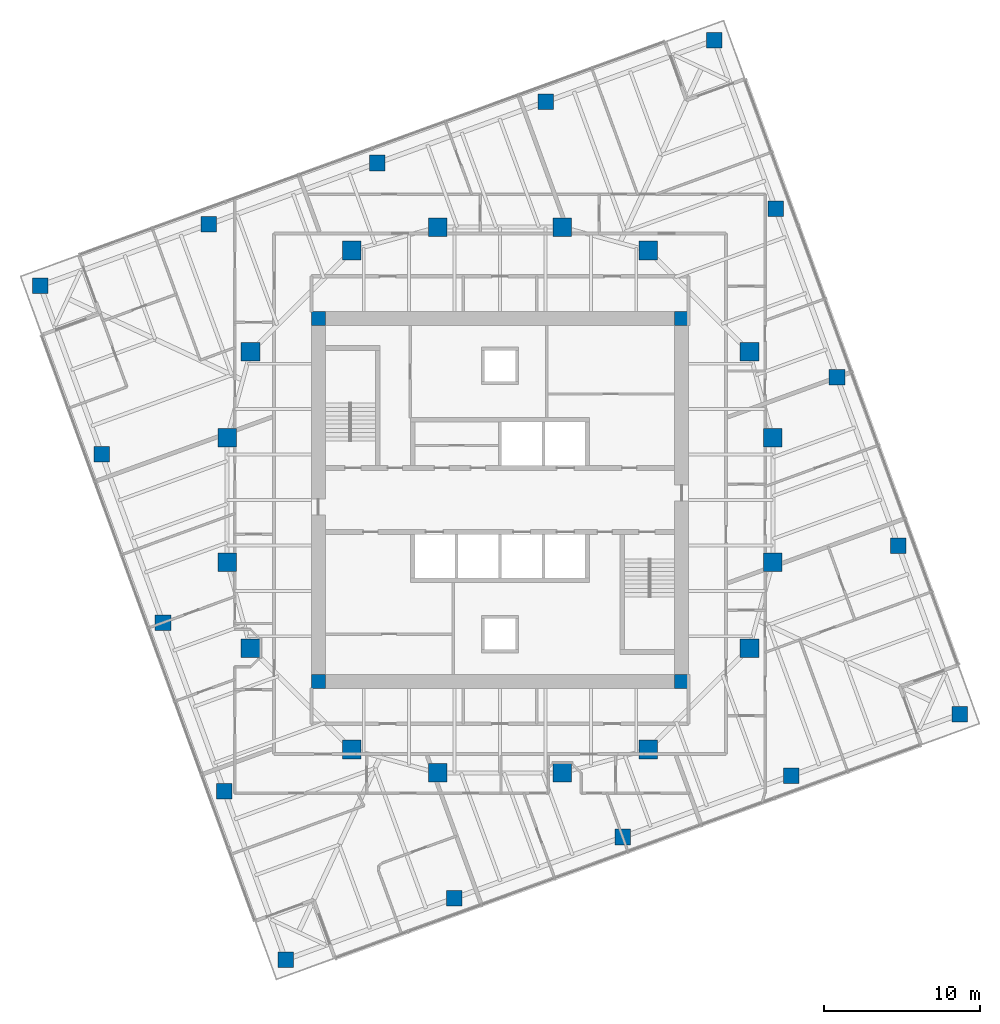
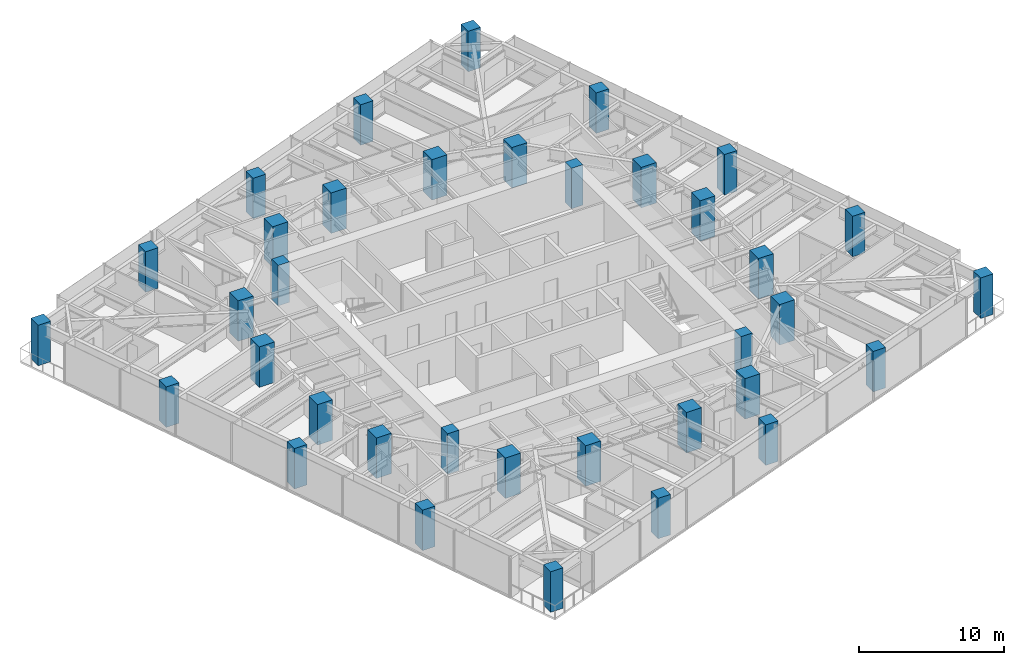
# One storey, part 1 of 13: 36 columns.
"""IFC4 building model written with IfcOpenShell, lengths in metres."""

from ifc_helpers import new_model, si_unit, direction, frame, origin, origin_2d, place, context, subcontext, project, spatial, rectangle, extrude, material, material_profile, profile_set, type_object, element, save


model = new_model("IFC4")

# Units and contexts
model_context = context("Model", 3, precision=1e-05, world=origin(), true_north=direction((0.0, 1.0)))
body_context = subcontext(model_context, "Body", "Model", "MODEL_VIEW")
ifc_project = project(units=[si_unit("LENGTHUNIT", "METRE"), si_unit("AREAUNIT", "SQUARE_METRE"), si_unit("VOLUMEUNIT", "CUBIC_METRE"), si_unit("PLANEANGLEUNIT", "RADIAN"), si_unit("MASSUNIT", "GRAM", prefix="KILO")], contexts=[model_context])

# Site, building, storey
site_placement = place(None, origin())
site = spatial("IfcSite", under=ifc_project, at=site_placement, CompositionType="ELEMENT")
building_placement = place(site_placement, origin())
building = spatial("IfcBuilding", under=site, at=building_placement, Name="Torsade Residences", CompositionType="ELEMENT")
storey_placement = place(building_placement, frame((0.0, 0.0, 160.800048828125)))
storey = spatial("IfcBuildingStorey", under=building, at=storey_placement, Name="L44", CompositionType="ELEMENT", Elevation=160.800048828125)

# Columns
ifc_material_1 = material(Name="Concrete 80 MPa", Category="concrete")
ifc_material_profile_1 = material_profile(ifc_material_1, rectangle(XDim=0.89990234375, YDim=0.89990234375, at=origin_2d()), Name="RC 900x900")
ifc_profile_set_1 = profile_set([ifc_material_profile_1], Name="Concrete 80 MPa")
column_type_1 = type_object("IfcColumnType", Name="CORE CORNER COLUMN RC 900x900", PredefinedType="COLUMN", material=ifc_profile_set_1)
for number, where, z_axis, x_axis, name in (
    (1, (28.35009765625, 18.35009765625, 0.0), (0.0, 0.0, 1.0), (1.0, 0.0, 0.0), "Core corner column CC1 L44"),
    (2, (51.64990234375, 18.35009765625, 0.0), (0.0, 0.0, 1.0), (1.0, 0.0, 0.0), "Core corner column CC2 L44"),
    (3, (51.64990234375, 41.64990234375, 0.0), (0.0, 0.0, 1.0), (1.0, 0.0, 0.0), "Core corner column CC3 L44"),
    (4, (28.35009765625, 41.64990234375, 0.0), (0.0, 0.0, 1.0), (1.0, 0.0, 0.0), "Core corner column CC4 L44"),
):
    element("IfcColumn", number, at=place(storey_placement, frame(where, z_axis=z_axis, x_axis=x_axis)), inside=storey, type_object=column_type_1, Name=name, PredefinedType="COLUMN", context=body_context, shape_type="SweptSolid", body=[
        extrude(rectangle(XDim=0.89990234375, YDim=0.89990234375, at=origin_2d()), origin(), (0.0, 0.0, 1.0), 3.39990234375),
    ])
ifc_material_2 = material(Name="Concrete 80 MPa", Category="concrete")
ifc_material_profile_2 = material_profile(ifc_material_2, rectangle(XDim=1.199951171875, YDim=1.199951171875, at=origin_2d()), Name="RC 1200x1200")
ifc_profile_set_2 = profile_set([ifc_material_profile_2], Name="Concrete 80 MPa")
column_type_2 = type_object("IfcColumnType", Name="INNER RING COLUMN RC 1200x1200", PredefinedType="COLUMN", material=ifc_profile_set_2)
for number, where, z_axis, x_axis, name in (
    (5, (57.5, 26.0, 0.0), (0.0, 0.0, 1.0), (1.0, 0.0, 0.0), "Inner ring column IR01 L44"),
    (6, (57.5, 34.0, 0.0), (0.0, 0.0, 1.0), (1.0, 0.0, 0.0), "Inner ring column IR02 L44"),
    (7, (56.0, 39.5, 0.0), (0.0, 0.0, 1.0), (1.0, 0.0, 0.0), "Inner ring column IR03 L44"),
    (8, (49.5, 46.0, 0.0), (0.0, 0.0, 1.0), (1.0, 0.0, 0.0), "Inner ring column IR04 L44"),
    (9, (44.0, 47.5, 0.0), (0.0, 0.0, 1.0), (1.0, 0.0, 0.0), "Inner ring column IR05 L44"),
    (10, (36.0, 47.5, 0.0), (0.0, 0.0, 1.0), (1.0, 0.0, 0.0), "Inner ring column IR06 L44"),
    (11, (30.5, 46.0, 0.0), (0.0, 0.0, 1.0), (1.0, 0.0, 0.0), "Inner ring column IR07 L44"),
    (12, (24.0, 39.5, 0.0), (0.0, 0.0, 1.0), (1.0, 0.0, 0.0), "Inner ring column IR08 L44"),
    (13, (22.5, 34.0, 0.0), (0.0, 0.0, 1.0), (1.0, 0.0, 0.0), "Inner ring column IR09 L44"),
    (14, (22.5, 26.0, 0.0), (0.0, 0.0, 1.0), (1.0, 0.0, 0.0), "Inner ring column IR10 L44"),
    (15, (24.0, 20.5, 0.0), (0.0, 0.0, 1.0), (1.0, 0.0, 0.0), "Inner ring column IR11 L44"),
    (16, (30.5, 14.0, 0.0), (0.0, 0.0, 1.0), (1.0, 0.0, 0.0), "Inner ring column IR12 L44"),
    (17, (36.0, 12.5, 0.0), (0.0, 0.0, 1.0), (1.0, 0.0, 0.0), "Inner ring column IR13 L44"),
    (18, (44.0, 12.5, 0.0), (0.0, 0.0, 1.0), (1.0, 0.0, 0.0), "Inner ring column IR14 L44"),
    (19, (49.5, 14.0, 0.0), (0.0, 0.0, 1.0), (1.0, 0.0, 0.0), "Inner ring column IR15 L44"),
    (20, (56.0, 20.5, 0.0), (0.0, 0.0, 1.0), (1.0, 0.0, 0.0), "Inner ring column IR16 L44"),
):
    element("IfcColumn", number, at=place(storey_placement, frame(where, z_axis=z_axis, x_axis=x_axis)), inside=storey, type_object=column_type_2, Name=name, PredefinedType="COLUMN", context=body_context, shape_type="SweptSolid", body=[
        extrude(rectangle(XDim=1.199951171875, YDim=1.199951171875, at=origin_2d()), origin(), (0.0, 0.0, 1.0), 3.39990234375),
    ])
ifc_material_3 = material(Name="Concrete 80 MPa", Category="concrete")
ifc_material_profile_3 = material_profile(ifc_material_3, rectangle(XDim=1.0, YDim=1.0, at=origin_2d()), Name="RC 1000x1000")
ifc_profile_set_3 = profile_set([ifc_material_profile_3], Name="Concrete 80 MPa")
column_type_3 = type_object("IfcColumnType", Name="TOWER COLUMN RC 1000x1000", PredefinedType="COLUMN", material=ifc_profile_set_3)
for number, where, z_axis, x_axis, name in (
    (21, (26.25341796875, 0.5205078125, 0.0), (0.0, 0.0, 1.0), (1.0, 0.0, 0.0), "Column TC5-01 L44"),
    (22, (37.06005859375, 4.453857421875, 0.0), (0.0, 0.0, 1.0), (1.0, 0.0, 0.0), "Column TC5-02 L44"),
    (23, (47.866455078125, 8.386962890625, 0.0), (0.0, 0.0, 1.0), (1.0, 0.0, 0.0), "Column TC5-03 L44"),
    (24, (58.6728515625, 12.3203125, 0.0), (0.0, 0.0, 1.0), (1.0, 0.0, 0.0), "Column TC5-04 L44"),
    (25, (69.4794921875, 16.25341796875, 0.0), (0.0, 0.0, 1.0), (1.0, 0.0, 0.0), "Column TC5-05 L44"),
    (26, (65.546142578125, 27.06005859375, 0.0), (0.0, 0.0, 1.0), (1.0, 0.0, 0.0), "Column TC5-06 L44"),
    (27, (61.613037109375, 37.866455078125, 0.0), (0.0, 0.0, 1.0), (1.0, 0.0, 0.0), "Column TC5-07 L44"),
    (28, (57.6796875, 48.6728515625, 0.0), (0.0, 0.0, 1.0), (1.0, 0.0, 0.0), "Column TC5-08 L44"),
    (29, (53.74658203125, 59.4794921875, 0.0), (0.0, 0.0, 1.0), (1.0, 0.0, 0.0), "Column TC5-09 L44"),
    (30, (42.93994140625, 55.546142578125, 0.0), (0.0, 0.0, 1.0), (1.0, 0.0, 0.0), "Column TC5-10 L44"),
    (31, (32.133544921875, 51.613037109375, 0.0), (0.0, 0.0, 1.0), (1.0, 0.0, 0.0), "Column TC5-11 L44"),
    (32, (21.3271484375, 47.6796875, 0.0), (0.0, 0.0, 1.0), (1.0, 0.0, 0.0), "Column TC5-12 L44"),
    (33, (10.5205078125, 43.74658203125, 0.0), (0.0, 0.0, 1.0), (1.0, 0.0, 0.0), "Column TC5-13 L44"),
    (34, (14.453857421875, 32.93994140625, 0.0), (0.0, 0.0, 1.0), (1.0, 0.0, 0.0), "Column TC5-14 L44"),
    (35, (18.386962890625, 22.133544921875, 0.0), (0.0, 0.0, 1.0), (1.0, 0.0, 0.0), "Column TC5-15 L44"),
    (36, (22.3203125, 11.3271484375, 0.0), (0.0, 0.0, 1.0), (1.0, 0.0, 0.0), "Column TC5-16 L44"),
):
    element("IfcColumn", number, at=place(storey_placement, frame(where, z_axis=z_axis, x_axis=x_axis)), inside=storey, type_object=column_type_3, Name=name, PredefinedType="COLUMN", context=body_context, shape_type="SweptSolid", body=[
        extrude(rectangle(XDim=1.0, YDim=1.0, at=origin_2d()), origin(), (0.0, 0.0, 1.0), 3.39990234375),
    ])

save(model, "model.ifc")
